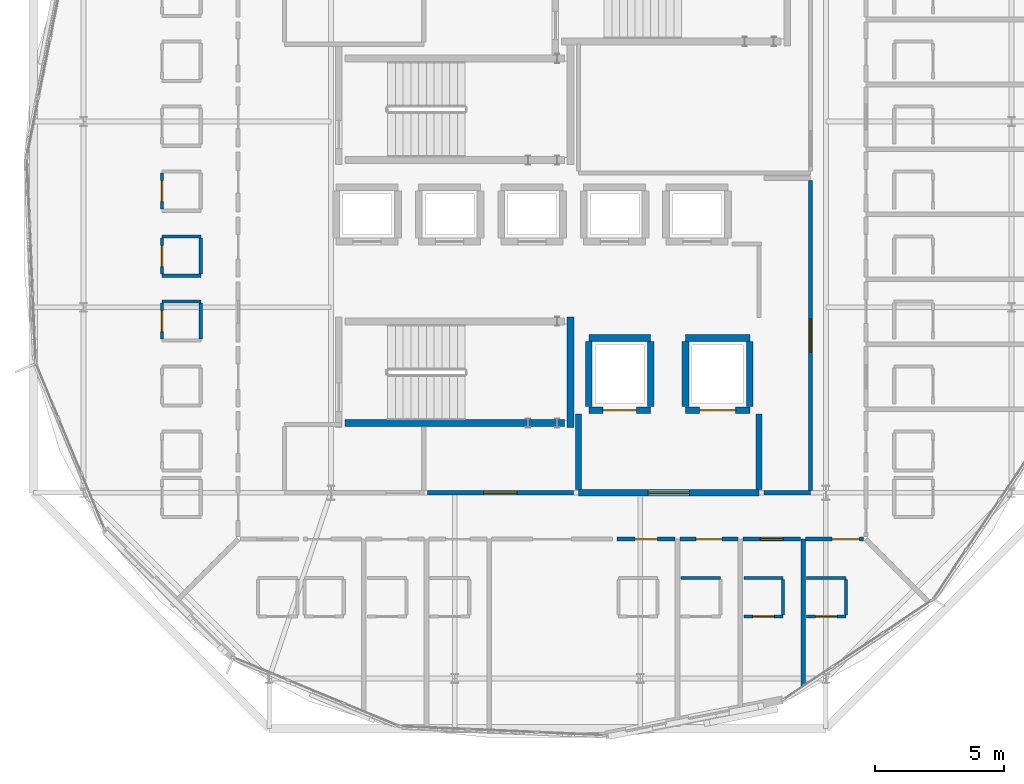
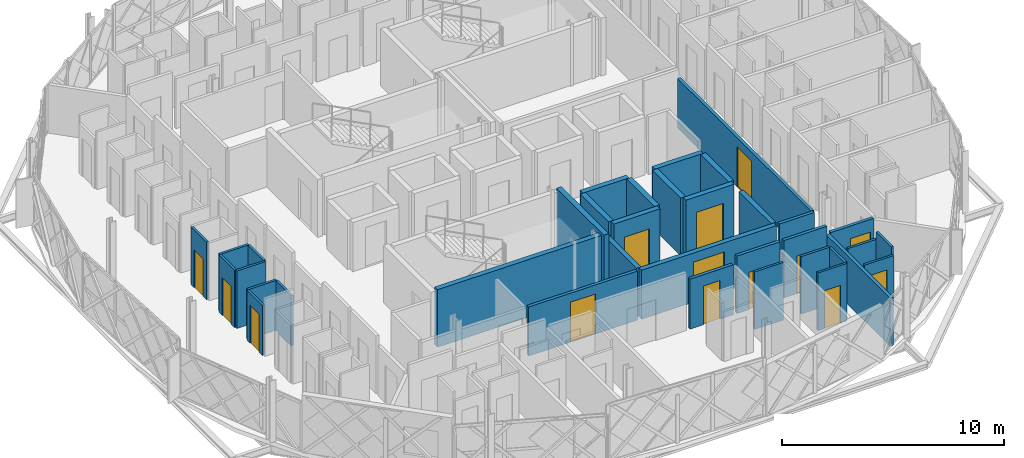
# One storey, part 14 of 24: 36 walls, 14 doors, 14 openings.
"""IFC4 building model written with IfcOpenShell, lengths in metres."""

from ifc_helpers import new_model, si_unit, direction, frame, frame_2d, origin, place, context, subcontext, project, spatial, rectangle, extrude, material, layer, layer_set, type_object, element, fill, save


model = new_model("IFC4")

# Units and contexts
model_context = context("Model", 3, precision=1e-05, world=origin(), true_north=direction((0.0, 1.0)))
body_context = subcontext(model_context, "Body", "Model", "MODEL_VIEW")
ifc_project = project(units=[si_unit("LENGTHUNIT", "METRE"), si_unit("AREAUNIT", "SQUARE_METRE"), si_unit("VOLUMEUNIT", "CUBIC_METRE"), si_unit("PLANEANGLEUNIT", "RADIAN"), si_unit("MASSUNIT", "GRAM", prefix="KILO")], contexts=[model_context])

# Site, building, storey
site_placement = place(None, origin())
site = spatial("IfcSite", under=ifc_project, at=site_placement, CompositionType="ELEMENT")
building_placement = place(site_placement, origin())
building = spatial("IfcBuilding", under=site, at=building_placement, Name="Zevrakil Square Congress Hotel", CompositionType="ELEMENT")
storey_placement = place(building_placement, frame((0.0, 0.0, 35.10009765625)))
storey = spatial("IfcBuildingStorey", under=building, at=storey_placement, Name="L10", CompositionType="ELEMENT", Elevation=35.10009765625)

# Wall, opening, door
ifc_material_1 = material(Name="Concrete C35/45", Category="concrete")
ifc_layer_1 = layer(ifc_material_1, 0.239990234375)
ifc_layer_set_1 = layer_set([ifc_layer_1], Name="Concrete C35/45")
wall_type_1 = type_object("IfcWallType", Name="WAL-COMP-240", PredefinedType="SOLIDWALL", material=ifc_layer_set_1)
wall_1_placement = place(storey_placement, frame((146.39990234375, 16.800048828125, 0.0), z_axis=(0.0, 0.0, 1.0), x_axis=(1.0, 0.0, 0.0)))
wall_1 = element("IfcWall", 1, at=wall_1_placement, inside=storey, type_object=wall_type_1, Name="L10 interior partition PW-L10-1560", PredefinedType="SOLIDWALL", context=body_context, shape_type="SweptSolid", body=[
    extrude(rectangle(XDim=7.0, YDim=0.239990234375, at=frame_2d((3.5, 0.0))), origin(), (0.0, 0.0, 1.0), 2.699951171875),
])
opening_1_placement = place(wall_1_placement, frame((2.699951171875, 0.0, 0.0)))
opening_1 = element("IfcOpeningElement", 2, at=opening_1_placement, cuts=wall_1, Name="Opening FD90-D", PredefinedType="OPENING", context=body_context, shape_type="SweptSolid", body=[
    extrude(rectangle(XDim=1.60009765625, YDim=2.199951171875, at=frame_2d((0.800048828125, 1.10009765625))), frame((0.0, 0.1298828125, 0.0), z_axis=(0.0, -1.0, 0.0), x_axis=(1.0, 0.0, 0.0)), (0.0, 0.0, 1.0), 0.260009765625),
])
ifc_material_2 = material(Name="Steel S355 Double Fire Door", Category="steel")
door_type_1 = type_object("IfcDoorType", Name="DOR-FFLOB-FD90-160", OperationType="NOTDEFINED", PredefinedType="DOOR", material=ifc_material_2)
door_1_placement = place(opening_1_placement, origin())
door_1 = element("IfcDoor", 3, at=door_1_placement, inside=storey, type_object=door_type_1, Name="L10 interior door 608", OperationType="DOUBLE_DOOR_SINGLE_SWING", OverallHeight=2.199951171875, OverallWidth=1.60009765625, PredefinedType="DOOR", context=body_context, shape_type="SweptSolid", body=[
    extrude(rectangle(XDim=1.60009765625, YDim=2.199951171875, at=frame_2d((0.800048828125, 1.10009765625))), frame((0.0, 0.02490234375, 0.0), z_axis=(0.0, -1.0, 0.0), x_axis=(1.0, 0.0, 0.0)), (0.0, 0.0, 1.0), 0.050048828125),
])
fill(opening_1, door_1)

# Walls
for number, where, z_axis, x_axis, name in (
    (4, (146.39990234375, 16.925048828125, 0.0), (0.0, 0.0, 1.0), (0.0, 1.0, 0.0), "L10 interior partition PW-L10-1561"),
    (5, (153.39990234375, 16.925048828125, 0.0), (0.0, 0.0, 1.0), (0.0, 1.0, 0.0), "L10 interior partition PW-L10-1562"),
):
    element("IfcWall", number, at=place(storey_placement, frame(where, z_axis=z_axis, x_axis=x_axis)), inside=storey, type_object=wall_type_1, Name=name, PredefinedType="SOLIDWALL", context=body_context, shape_type="SweptSolid", body=[
        extrude(rectangle(XDim=2.925048828125, YDim=0.239990234375, at=frame_2d((1.46240234375, 0.0))), origin(), (0.0, 0.0, 1.0), 2.699951171875),
    ])

# Wall, opening, door
ifc_material_3 = material(Name="Gypsum Acoustic Stud Partition")
ifc_layer_2 = layer(ifc_material_3, 0.159912109375)
ifc_layer_set_2 = layer_set([ifc_layer_2], Name="Gypsum Acoustic Stud Partition")
wall_type_2 = type_object("IfcWallType", Name="WAL-CORR-160", PredefinedType="PARTITIONING", material=ifc_layer_set_2)
wall_2_placement = place(storey_placement, frame((140.550048828125, 16.800048828125, 0.0), z_axis=(0.0, 0.0, 1.0), x_axis=(1.0, 0.0, 0.0)))
wall_2 = element("IfcWall", 6, at=wall_2_placement, inside=storey, type_object=wall_type_2, Name="L10 interior partition PW-L10-1567", PredefinedType="PARTITIONING", context=body_context, shape_type="SweptSolid", body=[
    extrude(rectangle(XDim=5.64990234375, YDim=0.159912109375, at=frame_2d((2.824951171875, 0.0))), origin(), (0.0, 0.0, 1.0), 2.699951171875),
])
opening_2_placement = place(wall_2_placement, frame((2.175048828125, 0.0, 0.0)))
opening_2 = element("IfcOpeningElement", 7, at=opening_2_placement, cuts=wall_2, Name="Opening ID-08", PredefinedType="OPENING", context=body_context, shape_type="SweptSolid", body=[
    extrude(rectangle(XDim=1.300048828125, YDim=2.199951171875, at=frame_2d((0.64990234375, 1.10009765625))), frame((0.0, 0.08984375, 0.0), z_axis=(0.0, -1.0, 0.0), x_axis=(1.0, 0.0, 0.0)), (0.0, 0.0, 1.0), 0.179931640625),
])
ifc_material_4 = material(Name="Service Corridor Leaf-and-Half Door")
door_type_2 = type_object("IfcDoorType", Name="DOR-BOH-130", OperationType="NOTDEFINED", PredefinedType="DOOR", material=ifc_material_4)
door_2_placement = place(opening_2_placement, origin())
door_2 = element("IfcDoor", 8, at=door_2_placement, inside=storey, type_object=door_type_2, Name="L10 interior door 610", OperationType="SINGLE_SWING_RIGHT", OverallHeight=2.199951171875, OverallWidth=1.300048828125, PredefinedType="DOOR", context=body_context, shape_type="SweptSolid", body=[
    extrude(rectangle(XDim=1.300048828125, YDim=2.199951171875, at=frame_2d((0.64990234375, 1.10009765625))), frame((0.0, 0.02490234375, 0.0), z_axis=(0.0, -1.0, 0.0), x_axis=(1.0, 0.0, 0.0)), (0.0, 0.0, 1.0), 0.050048828125),
])
fill(opening_2, door_2)

# Wall
wall_3_placement = place(storey_placement, frame((153.60009765625, 16.800048828125, 0.0), z_axis=(0.0, 0.0, 1.0), x_axis=(1.0, 0.0, 0.0)))
element("IfcWall", 9, at=wall_3_placement, inside=storey, type_object=wall_type_2, Name="L10 interior partition PW-L10-1576", PredefinedType="PARTITIONING", context=body_context, shape_type="SweptSolid", body=[
    extrude(rectangle(XDim=1.7998046875, YDim=0.159912109375, at=frame_2d((0.89990234375, 0.0))), origin(), (0.0, 0.0, 1.0), 2.699951171875),
])

# Wall, opening, door
wall_4_placement = place(storey_placement, frame((155.39990234375, 16.885009765625, 0.0), z_axis=(0.0, 0.0, 1.0), x_axis=(0.0, 1.0, 0.0)))
wall_4 = element("IfcWall", 10, at=wall_4_placement, inside=storey, type_object=wall_type_2, Name="L10 interior partition PW-L10-1578", PredefinedType="PARTITIONING", context=body_context, shape_type="SweptSolid", body=[
    extrude(rectangle(XDim=12.030029296875, YDim=0.159912109375, at=frame_2d((6.01513671875, 0.0))), origin(), (0.0, 0.0, 1.0), 2.699951171875),
])
opening_3_placement = place(wall_4_placement, frame((5.364990234375, 0.0, 0.0)))
opening_3 = element("IfcOpeningElement", 11, at=opening_3_placement, cuts=wall_4, Name="Opening ID-08", PredefinedType="OPENING", context=body_context, shape_type="SweptSolid", body=[
    extrude(rectangle(XDim=1.300048828125, YDim=2.199951171875, at=frame_2d((0.64990234375, 1.10009765625))), frame((0.0, 0.08984375, 0.0), z_axis=(0.0, -1.0, 0.0), x_axis=(1.0, 0.0, 0.0)), (0.0, 0.0, 1.0), 0.179931640625),
])
door_3_placement = place(opening_3_placement, origin())
door_3 = element("IfcDoor", 12, at=door_3_placement, inside=storey, type_object=door_type_2, Name="L10 interior door 613", OperationType="SINGLE_SWING_LEFT", OverallHeight=2.199951171875, OverallWidth=1.300048828125, PredefinedType="DOOR", context=body_context, shape_type="SweptSolid", body=[
    extrude(rectangle(XDim=1.300048828125, YDim=2.199951171875, at=frame_2d((0.64990234375, 1.10009765625))), frame((0.0, 0.02490234375, 0.0), z_axis=(0.0, -1.0, 0.0), x_axis=(1.0, 0.0, 0.0)), (0.0, 0.0, 1.0), 0.050048828125),
])
fill(opening_3, door_3)

wall_5_placement = place(storey_placement, frame((147.905029296875, 15.0, 0.0), z_axis=(0.0, 0.0, 1.0), x_axis=(1.0, 0.0, 0.0)))
wall_5 = element("IfcWall", 13, at=wall_5_placement, inside=storey, type_object=wall_type_2, Name="L10 interior partition PW-L10-1604", PredefinedType="PARTITIONING", context=body_context, shape_type="SweptSolid", body=[
    extrude(rectangle(XDim=2.244873046875, YDim=0.159912109375, at=frame_2d((1.12255859375, 0.0))), origin(), (0.0, 0.0, 1.0), 2.75),
])
opening_4_placement = place(wall_5_placement, frame((0.6904296875, 0.0, 0.0)))
opening_4 = element("IfcOpeningElement", 14, at=opening_4_placement, cuts=wall_5, Name="Opening ID-H02", PredefinedType="OPENING", context=body_context, shape_type="SweptSolid", body=[
    extrude(rectangle(XDim=0.864013671875, YDim=2.1298828125, at=frame_2d((0.43212890625, 1.06494140625))), frame((0.0, 0.08984375, 0.0), z_axis=(0.0, -1.0, 0.0), x_axis=(1.0, 0.0, 0.0)), (0.0, 0.0, 1.0), 0.179931640625),
])
ifc_material_5 = material(Name="Acoustic Timber Fire Door", Category="wood")
door_type_3 = type_object("IfcDoorType", Name="DOR-INT-H02", OperationType="NOTDEFINED", PredefinedType="DOOR", material=ifc_material_5)
door_4_placement = place(opening_4_placement, origin())
door_4 = element("IfcDoor", 15, at=door_4_placement, inside=storey, type_object=door_type_3, Name="L10 interior door 623", OperationType="SINGLE_SWING_LEFT", OverallHeight=2.1298828125, OverallWidth=0.864013671875, PredefinedType="DOOR", context=body_context, shape_type="SweptSolid", body=[
    extrude(rectangle(XDim=0.864013671875, YDim=2.1298828125, at=frame_2d((0.43212890625, 1.06494140625))), frame((0.0, 0.02490234375, 0.0), z_axis=(0.0, -1.0, 0.0), x_axis=(1.0, 0.0, 0.0)), (0.0, 0.0, 1.0), 0.050048828125),
])
fill(opening_4, door_4)

wall_6_placement = place(storey_placement, frame((150.340087890625, 15.0, 0.0), z_axis=(0.0, 0.0, 1.0), x_axis=(1.0, 0.0, 0.0)))
wall_6 = element("IfcWall", 16, at=wall_6_placement, inside=storey, type_object=wall_type_2, Name="L10 interior partition PW-L10-1610", PredefinedType="PARTITIONING", context=body_context, shape_type="SweptSolid", body=[
    extrude(rectangle(XDim=2.244873046875, YDim=0.159912109375, at=frame_2d((1.12255859375, 0.0))), origin(), (0.0, 0.0, 1.0), 3.164794921875),
])
opening_5_placement = place(wall_6_placement, frame((0.6201171875, 0.0, 0.0)))
opening_5 = element("IfcOpeningElement", 17, at=opening_5_placement, cuts=wall_6, Name="Opening ID-G07", PredefinedType="OPENING", context=body_context, shape_type="SweptSolid", body=[
    extrude(rectangle(XDim=1.0048828125, YDim=2.050048828125, at=frame_2d((0.50244140625, 1.02490234375))), frame((0.0, 0.08984375, 0.0), z_axis=(0.0, -1.0, 0.0), x_axis=(1.0, 0.0, 0.0)), (0.0, 0.0, 1.0), 0.179931640625),
])
ifc_material_6 = material(Name="Acoustic Timber Fire Door", Category="wood")
door_type_4 = type_object("IfcDoorType", Name="DOR-INT-G07", OperationType="NOTDEFINED", PredefinedType="DOOR", material=ifc_material_6)
door_5_placement = place(opening_5_placement, origin())
door_5 = element("IfcDoor", 18, at=door_5_placement, inside=storey, type_object=door_type_4, Name="L10 interior door 625", OperationType="SINGLE_SWING_LEFT", OverallHeight=2.050048828125, OverallWidth=1.0048828125, PredefinedType="DOOR", context=body_context, shape_type="SweptSolid", body=[
    extrude(rectangle(XDim=1.0048828125, YDim=2.050048828125, at=frame_2d((0.50244140625, 1.02490234375))), frame((0.0, 0.02490234375, 0.0), z_axis=(0.0, -1.0, 0.0), x_axis=(1.0, 0.0, 0.0)), (0.0, 0.0, 1.0), 0.050048828125),
])
fill(opening_5, door_5)

wall_7_placement = place(storey_placement, frame((152.77490234375, 15.0, 0.0), z_axis=(0.0, 0.0, 1.0), x_axis=(1.0, 0.0, 0.0)))
wall_7 = element("IfcWall", 19, at=wall_7_placement, inside=storey, type_object=wall_type_2, Name="L10 interior partition PW-L10-1615", PredefinedType="PARTITIONING", context=body_context, shape_type="SweptSolid", body=[
    extrude(rectangle(XDim=2.2451171875, YDim=0.159912109375, at=frame_2d((1.12255859375, 0.0))), origin(), (0.0, 0.0, 1.0), 3.164794921875),
])
opening_6_placement = place(wall_7_placement, frame((0.678466796875, 0.0, 0.0)))
opening_6 = element("IfcOpeningElement", 20, at=opening_6_placement, cuts=wall_7, Name="Opening ID-H04", PredefinedType="OPENING", context=body_context, shape_type="SweptSolid", body=[
    extrude(rectangle(XDim=0.887939453125, YDim=2.070068359375, at=frame_2d((0.44384765625, 1.03515625))), frame((0.0, 0.08984375, 0.0), z_axis=(0.0, -1.0, 0.0), x_axis=(1.0, 0.0, 0.0)), (0.0, 0.0, 1.0), 0.179931640625),
])
ifc_material_7 = material(Name="Acoustic Timber Fire Door", Category="wood")
door_type_5 = type_object("IfcDoorType", Name="DOR-INT-H04", OperationType="NOTDEFINED", PredefinedType="DOOR", material=ifc_material_7)
door_6_placement = place(opening_6_placement, origin())
door_6 = element("IfcDoor", 21, at=door_6_placement, inside=storey, type_object=door_type_5, Name="L10 interior door 627", OperationType="SINGLE_SWING_LEFT", OverallHeight=2.070068359375, OverallWidth=0.887939453125, PredefinedType="DOOR", context=body_context, shape_type="SweptSolid", body=[
    extrude(rectangle(XDim=0.887939453125, YDim=2.070068359375, at=frame_2d((0.44384765625, 1.03515625))), frame((0.0, 0.02490234375, 0.0), z_axis=(0.0, -1.0, 0.0), x_axis=(1.0, 0.0, 0.0)), (0.0, 0.0, 1.0), 0.050048828125),
])
fill(opening_6, door_6)

wall_8_placement = place(storey_placement, frame((155.2099609375, 15.0, 0.0), z_axis=(0.0, 0.0, 1.0), x_axis=(1.0, 0.0, 0.0)))
wall_8 = element("IfcWall", 22, at=wall_8_placement, inside=storey, type_object=wall_type_2, Name="L10 interior partition PW-L10-1620", PredefinedType="PARTITIONING", context=body_context, shape_type="SweptSolid", body=[
    extrude(rectangle(XDim=2.2451171875, YDim=0.159912109375, at=frame_2d((1.12255859375, 0.0))), origin(), (0.0, 0.0, 1.0), 2.75),
])
opening_7_placement = place(wall_8_placement, frame((1.030029296875, 0.0, 0.0)))
opening_7 = element("IfcOpeningElement", 23, at=opening_7_placement, cuts=wall_8, Name="Opening ID-G09", PredefinedType="OPENING", context=body_context, shape_type="SweptSolid", body=[
    extrude(rectangle(XDim=1.054931640625, YDim=2.050048828125, at=frame_2d((0.52734375, 1.02490234375))), frame((0.0, 0.08984375, 0.0), z_axis=(0.0, -1.0, 0.0), x_axis=(1.0, 0.0, 0.0)), (0.0, 0.0, 1.0), 0.179931640625),
])
ifc_material_8 = material(Name="Acoustic Timber Fire Door", Category="wood")
door_type_6 = type_object("IfcDoorType", Name="DOR-INT-G09", OperationType="NOTDEFINED", PredefinedType="DOOR", material=ifc_material_8)
door_7_placement = place(opening_7_placement, origin())
door_7 = element("IfcDoor", 24, at=door_7_placement, inside=storey, type_object=door_type_6, Name="L10 interior door 629", OperationType="SINGLE_SWING_LEFT", OverallHeight=2.050048828125, OverallWidth=1.054931640625, PredefinedType="DOOR", context=body_context, shape_type="SweptSolid", body=[
    extrude(rectangle(XDim=1.054931640625, YDim=2.050048828125, at=frame_2d((0.52734375, 1.02490234375))), frame((0.0, 0.02490234375, 0.0), z_axis=(0.0, -1.0, 0.0), x_axis=(1.0, 0.0, 0.0)), (0.0, 0.0, 1.0), 0.050048828125),
])
fill(opening_7, door_7)

# Wall
ifc_material_9 = material(Name="Moisture-Resistant Gypsum Partition")
ifc_layer_3 = layer(ifc_material_9, 0.1201171875)
ifc_layer_set_3 = layer_set([ifc_layer_3], Name="Moisture-Resistant Gypsum Partition")
wall_type_3 = type_object("IfcWallType", Name="WAL-ENS-120", PredefinedType="PARTITIONING", material=ifc_layer_set_3)
wall_9_placement = place(storey_placement, frame((150.385009765625, 13.5, 0.0), z_axis=(0.0, 0.0, 1.0), x_axis=(1.0, 0.0, 0.0)))
element("IfcWall", 25, at=wall_9_placement, inside=storey, type_object=wall_type_3, Name="L10 interior partition PW-L10-1612", PredefinedType="PARTITIONING", context=body_context, shape_type="SweptSolid", body=[
    extrude(rectangle(XDim=1.52001953125, YDim=0.1201171875, at=frame_2d((0.760009765625, 0.0))), origin(), (0.0, 0.0, 1.0), 3.164794921875),
])

# Wall, opening, door
wall_10_placement = place(storey_placement, frame((152.820068359375, 12.0, 0.0), z_axis=(0.0, 0.0, 1.0), x_axis=(1.0, 0.0, 0.0)))
wall_10 = element("IfcWall", 26, at=wall_10_placement, inside=storey, type_object=wall_type_3, Name="L10 interior partition PW-L10-1616", PredefinedType="PARTITIONING", context=body_context, shape_type="SweptSolid", body=[
    extrude(rectangle(XDim=1.52001953125, YDim=0.1201171875, at=frame_2d((0.760009765625, 0.0))), origin(), (0.0, 0.0, 1.0), 3.164794921875),
])
opening_8_placement = place(wall_10_placement, frame((0.35009765625, 0.0, 0.0)))
opening_8 = element("IfcOpeningElement", 27, at=opening_8_placement, cuts=wall_10, Name="Opening ID-11", PredefinedType="OPENING", context=body_context, shape_type="SweptSolid", body=[
    extrude(rectangle(XDim=0.820068359375, YDim=2.080078125, at=frame_2d((0.41015625, 1.0400390625))), frame((0.0, 0.070068359375, 0.0), z_axis=(0.0, -1.0, 0.0), x_axis=(1.0, 0.0, 0.0)), (0.0, 0.0, 1.0), 0.14013671875),
])
ifc_material_10 = material(Name="Acoustic Timber Door", Category="wood")
door_type_7 = type_object("IfcDoorType", Name="DOR-INT-V01", OperationType="NOTDEFINED", PredefinedType="DOOR", material=ifc_material_10)
door_8_placement = place(opening_8_placement, origin())
door_8 = element("IfcDoor", 28, at=door_8_placement, inside=storey, type_object=door_type_7, Name="L10 interior door 628", OperationType="SINGLE_SWING_RIGHT", OverallHeight=2.080078125, OverallWidth=0.820068359375, PredefinedType="DOOR", context=body_context, shape_type="SweptSolid", body=[
    extrude(rectangle(XDim=0.820068359375, YDim=2.080078125, at=frame_2d((0.41015625, 1.0400390625))), frame((0.0, 0.02490234375, 0.0), z_axis=(0.0, -1.0, 0.0), x_axis=(1.0, 0.0, 0.0)), (0.0, 0.0, 1.0), 0.050048828125),
])
fill(opening_8, door_8)

# Walls
wall_11_placement = place(storey_placement, frame((152.820068359375, 13.5, 0.0), z_axis=(0.0, 0.0, 1.0), x_axis=(1.0, 0.0, 0.0)))
element("IfcWall", 29, at=wall_11_placement, inside=storey, type_object=wall_type_3, Name="L10 interior partition PW-L10-1617", PredefinedType="PARTITIONING", context=body_context, shape_type="SweptSolid", body=[
    extrude(rectangle(XDim=1.52001953125, YDim=0.1201171875, at=frame_2d((0.760009765625, 0.0))), origin(), (0.0, 0.0, 1.0), 3.164794921875),
])
wall_12_placement = place(storey_placement, frame((154.340087890625, 12.06494140625, 0.0), z_axis=(0.0, 0.0, 1.0), x_axis=(0.0, 1.0, 0.0)))
element("IfcWall", 30, at=wall_12_placement, inside=storey, type_object=wall_type_3, Name="L10 interior partition PW-L10-1618", PredefinedType="PARTITIONING", context=body_context, shape_type="SweptSolid", body=[
    extrude(rectangle(XDim=1.3701171875, YDim=0.1201171875, at=frame_2d((0.68505859375, 0.0))), origin(), (0.0, 0.0, 1.0), 3.164794921875),
])

# Wall, opening, door
wall_13_placement = place(storey_placement, frame((155.2548828125, 12.0, 0.0), z_axis=(0.0, 0.0, 1.0), x_axis=(1.0, 0.0, 0.0)))
wall_13 = element("IfcWall", 31, at=wall_13_placement, inside=storey, type_object=wall_type_3, Name="L10 interior partition PW-L10-1621", PredefinedType="PARTITIONING", context=body_context, shape_type="SweptSolid", body=[
    extrude(rectangle(XDim=1.52001953125, YDim=0.1201171875, at=frame_2d((0.760009765625, 0.0))), origin(), (0.0, 0.0, 1.0), 2.75),
])
opening_9_placement = place(wall_13_placement, frame((0.35009765625, 0.0, 0.0)))
opening_9 = element("IfcOpeningElement", 32, at=opening_9_placement, cuts=wall_13, Name="Opening ID-11", PredefinedType="OPENING", context=body_context, shape_type="SweptSolid", body=[
    extrude(rectangle(XDim=0.820068359375, YDim=2.080078125, at=frame_2d((0.41015625, 1.0400390625))), frame((0.0, 0.070068359375, 0.0), z_axis=(0.0, -1.0, 0.0), x_axis=(1.0, 0.0, 0.0)), (0.0, 0.0, 1.0), 0.14013671875),
])
door_9_placement = place(opening_9_placement, origin())
door_9 = element("IfcDoor", 33, at=door_9_placement, inside=storey, type_object=door_type_7, Name="L10 interior door 630", OperationType="SINGLE_SWING_RIGHT", OverallHeight=2.080078125, OverallWidth=0.820068359375, PredefinedType="DOOR", context=body_context, shape_type="SweptSolid", body=[
    extrude(rectangle(XDim=0.820068359375, YDim=2.080078125, at=frame_2d((0.41015625, 1.0400390625))), frame((0.0, 0.02490234375, 0.0), z_axis=(0.0, -1.0, 0.0), x_axis=(1.0, 0.0, 0.0)), (0.0, 0.0, 1.0), 0.050048828125),
])
fill(opening_9, door_9)

# Walls
wall_14_placement = place(storey_placement, frame((155.2548828125, 13.5, 0.0), z_axis=(0.0, 0.0, 1.0), x_axis=(1.0, 0.0, 0.0)))
element("IfcWall", 34, at=wall_14_placement, inside=storey, type_object=wall_type_3, Name="L10 interior partition PW-L10-1622", PredefinedType="PARTITIONING", context=body_context, shape_type="SweptSolid", body=[
    extrude(rectangle(XDim=1.52001953125, YDim=0.1201171875, at=frame_2d((0.760009765625, 0.0))), origin(), (0.0, 0.0, 1.0), 2.75),
])
wall_15_placement = place(storey_placement, frame((156.77490234375, 12.06494140625, 0.0), z_axis=(0.0, 0.0, 1.0), x_axis=(0.0, 1.0, 0.0)))
element("IfcWall", 35, at=wall_15_placement, inside=storey, type_object=wall_type_3, Name="L10 interior partition PW-L10-1623", PredefinedType="PARTITIONING", context=body_context, shape_type="SweptSolid", body=[
    extrude(rectangle(XDim=1.3701171875, YDim=0.1201171875, at=frame_2d((0.68505859375, 0.0))), origin(), (0.0, 0.0, 1.0), 3.164794921875),
])

# Wall, opening, door
wall_16_placement = place(storey_placement, frame((130.25, 27.804931640625, 0.0), z_axis=(0.0, 0.0, 1.0), x_axis=(0.0, 1.0, 0.0)))
wall_16 = element("IfcWall", 36, at=wall_16_placement, inside=storey, type_object=wall_type_3, Name="L10 interior partition PW-L10-1750", PredefinedType="PARTITIONING", context=body_context, shape_type="SweptSolid", body=[
    extrude(rectangle(XDim=1.39013671875, YDim=0.1201171875, at=frame_2d((0.695068359375, 0.0))), origin(), (0.0, 0.0, 1.0), 3.164794921875),
])
opening_10_placement = place(wall_16_placement, frame((0.284912109375, 0.0, 0.0)))
opening_10 = element("IfcOpeningElement", 37, at=opening_10_placement, cuts=wall_16, Name="Opening ID-11", PredefinedType="OPENING", context=body_context, shape_type="SweptSolid", body=[
    extrude(rectangle(XDim=0.820068359375, YDim=2.080078125, at=frame_2d((0.41015625, 1.0400390625))), frame((0.0, 0.070068359375, 0.0), z_axis=(0.0, -1.0, 0.0), x_axis=(1.0, 0.0, 0.0)), (0.0, 0.0, 1.0), 0.14013671875),
])
door_10_placement = place(opening_10_placement, origin())
door_10 = element("IfcDoor", 38, at=door_10_placement, inside=storey, type_object=door_type_7, Name="L10 interior door 680", OperationType="SINGLE_SWING_RIGHT", OverallHeight=2.080078125, OverallWidth=0.820068359375, PredefinedType="DOOR", context=body_context, shape_type="SweptSolid", body=[
    extrude(rectangle(XDim=0.820068359375, YDim=2.080078125, at=frame_2d((0.41015625, 1.0400390625))), frame((0.0, 0.02490234375, 0.0), z_axis=(0.0, -1.0, 0.0), x_axis=(1.0, 0.0, 0.0)), (0.0, 0.0, 1.0), 0.050048828125),
])
fill(opening_10, door_10)

# Walls
for number, where, z_axis, x_axis, name in (
    (39, (130.25, 25.219970703125, 0.0), (0.0, 0.0, 1.0), (1.0, 0.0, 0.0), "L10 interior partition PW-L10-1753"),
    (40, (130.25, 26.739990234375, 0.0), (0.0, 0.0, 1.0), (1.0, 0.0, 0.0), "L10 interior partition PW-L10-1754"),
):
    element("IfcWall", number, at=place(storey_placement, frame(where, z_axis=z_axis, x_axis=x_axis)), inside=storey, type_object=wall_type_3, Name=name, PredefinedType="PARTITIONING", context=body_context, shape_type="SweptSolid", body=[
        extrude(rectangle(XDim=1.5, YDim=0.1201171875, at=frame_2d((0.75, 0.0))), origin(), (0.0, 0.0, 1.0), 3.164794921875),
    ])

# Wall, opening, door
wall_17_placement = place(storey_placement, frame((130.25, 25.284912109375, 0.0), z_axis=(0.0, 0.0, 1.0), x_axis=(0.0, 1.0, 0.0)))
wall_17 = element("IfcWall", 41, at=wall_17_placement, inside=storey, type_object=wall_type_3, Name="L10 interior partition PW-L10-1755", PredefinedType="PARTITIONING", context=body_context, shape_type="SweptSolid", body=[
    extrude(rectangle(XDim=1.39013671875, YDim=0.1201171875, at=frame_2d((0.695068359375, 0.0))), origin(), (0.0, 0.0, 1.0), 3.164794921875),
])
opening_11_placement = place(wall_17_placement, frame((0.284912109375, 0.0, 0.0)))
opening_11 = element("IfcOpeningElement", 42, at=opening_11_placement, cuts=wall_17, Name="Opening ID-11", PredefinedType="OPENING", context=body_context, shape_type="SweptSolid", body=[
    extrude(rectangle(XDim=0.820068359375, YDim=2.080078125, at=frame_2d((0.41015625, 1.0400390625))), frame((0.0, 0.070068359375, 0.0), z_axis=(0.0, -1.0, 0.0), x_axis=(1.0, 0.0, 0.0)), (0.0, 0.0, 1.0), 0.14013671875),
])
door_11_placement = place(opening_11_placement, origin())
door_11 = element("IfcDoor", 43, at=door_11_placement, inside=storey, type_object=door_type_7, Name="L10 interior door 682", OperationType="SINGLE_SWING_RIGHT", OverallHeight=2.080078125, OverallWidth=0.820068359375, PredefinedType="DOOR", context=body_context, shape_type="SweptSolid", body=[
    extrude(rectangle(XDim=0.820068359375, YDim=2.080078125, at=frame_2d((0.41015625, 1.0400390625))), frame((0.0, 0.02490234375, 0.0), z_axis=(0.0, -1.0, 0.0), x_axis=(1.0, 0.0, 0.0)), (0.0, 0.0, 1.0), 0.050048828125),
])
fill(opening_11, door_11)

# Walls
wall_18_placement = place(storey_placement, frame((131.75, 25.284912109375, 0.0), z_axis=(0.0, 0.0, 1.0), x_axis=(0.0, 1.0, 0.0)))
element("IfcWall", 44, at=wall_18_placement, inside=storey, type_object=wall_type_3, Name="L10 interior partition PW-L10-1756", PredefinedType="PARTITIONING", context=body_context, shape_type="SweptSolid", body=[
    extrude(rectangle(XDim=1.39013671875, YDim=0.1201171875, at=frame_2d((0.695068359375, 0.0))), origin(), (0.0, 0.0, 1.0), 3.164794921875),
])
wall_19_placement = place(storey_placement, frame((130.25, 24.219970703125, 0.0), z_axis=(0.0, 0.0, 1.0), x_axis=(1.0, 0.0, 0.0)))
element("IfcWall", 45, at=wall_19_placement, inside=storey, type_object=wall_type_3, Name="L10 interior partition PW-L10-1759", PredefinedType="PARTITIONING", context=body_context, shape_type="SweptSolid", body=[
    extrude(rectangle(XDim=1.5, YDim=0.1201171875, at=frame_2d((0.75, 0.0))), origin(), (0.0, 0.0, 1.0), 2.75),
])

# Wall, opening, door
wall_20_placement = place(storey_placement, frame((130.25, 22.764892578125, 0.0), z_axis=(0.0, 0.0, 1.0), x_axis=(0.0, 1.0, 0.0)))
wall_20 = element("IfcWall", 46, at=wall_20_placement, inside=storey, type_object=wall_type_3, Name="L10 interior partition PW-L10-1760", PredefinedType="PARTITIONING", context=body_context, shape_type="SweptSolid", body=[
    extrude(rectangle(XDim=1.39013671875, YDim=0.1201171875, at=frame_2d((0.695068359375, 0.0))), origin(), (0.0, 0.0, 1.0), 2.75),
])
opening_12_placement = place(wall_20_placement, frame((0.284912109375, 0.0, 0.0)))
opening_12 = element("IfcOpeningElement", 47, at=opening_12_placement, cuts=wall_20, Name="Opening ID-11", PredefinedType="OPENING", context=body_context, shape_type="SweptSolid", body=[
    extrude(rectangle(XDim=0.820068359375, YDim=2.080078125, at=frame_2d((0.41015625, 1.0400390625))), frame((0.0, 0.070068359375, 0.0), z_axis=(0.0, -1.0, 0.0), x_axis=(1.0, 0.0, 0.0)), (0.0, 0.0, 1.0), 0.14013671875),
])
door_12_placement = place(opening_12_placement, origin())
door_12 = element("IfcDoor", 48, at=door_12_placement, inside=storey, type_object=door_type_7, Name="L10 interior door 684", OperationType="SINGLE_SWING_RIGHT", OverallHeight=2.080078125, OverallWidth=0.820068359375, PredefinedType="DOOR", context=body_context, shape_type="SweptSolid", body=[
    extrude(rectangle(XDim=0.820068359375, YDim=2.080078125, at=frame_2d((0.41015625, 1.0400390625))), frame((0.0, 0.02490234375, 0.0), z_axis=(0.0, -1.0, 0.0), x_axis=(1.0, 0.0, 0.0)), (0.0, 0.0, 1.0), 0.050048828125),
])
fill(opening_12, door_12)

# Walls
wall_21_placement = place(storey_placement, frame((131.75, 22.764892578125, 0.0), z_axis=(0.0, 0.0, 1.0), x_axis=(0.0, 1.0, 0.0)))
element("IfcWall", 49, at=wall_21_placement, inside=storey, type_object=wall_type_3, Name="L10 interior partition PW-L10-1761", PredefinedType="PARTITIONING", context=body_context, shape_type="SweptSolid", body=[
    extrude(rectangle(XDim=1.39013671875, YDim=0.1201171875, at=frame_2d((0.695068359375, 0.0))), origin(), (0.0, 0.0, 1.0), 2.75),
])
ifc_material_11 = material(Name="Gypsum Twin-Stud Party Partition")
ifc_layer_4 = layer(ifc_material_11, 0.179931640625)
ifc_layer_set_4 = layer_set([ifc_layer_4], Name="Gypsum Twin-Stud Party Partition")
wall_type_4 = type_object("IfcWallType", Name="WAL-PARTY-180", PredefinedType="PARTITIONING", material=ifc_layer_set_4)
wall_22_placement = place(storey_placement, frame((155.114990234375, 9.257080078125, 0.0), z_axis=(0.0, 0.0, 1.0), x_axis=(0.0, 1.0, 0.0)))
element("IfcWall", 50, at=wall_22_placement, inside=storey, type_object=wall_type_4, Name="L10 interior partition PW-L10-1619", PredefinedType="PARTITIONING", context=body_context, shape_type="SweptSolid", body=[
    extrude(rectangle(XDim=5.742919921875, YDim=0.179931640625, at=frame_2d((2.87158203125, 0.0))), origin(), (0.0, 0.0, 1.0), 2.64990234375),
])
ifc_material_12 = material(Name="Concrete C40/50", Category="concrete")
ifc_layer_5 = layer(ifc_material_12, 0.260009765625)
ifc_layer_set_5 = layer_set([ifc_layer_5], Name="Concrete C40/50")
wall_type_5 = type_object("IfcWallType", Name="WAL-SHAFT-260", PredefinedType="SHEAR", material=ifc_layer_set_5)
wall_23_placement = place(storey_placement, frame((146.094970703125, 19.340087890625, 0.0), z_axis=(0.0, 0.0, 1.0), x_axis=(0.0, 1.0, 0.0)))
element("IfcWall", 51, at=wall_23_placement, inside=storey, type_object=wall_type_5, Name="L10 ST01 stair shaft E wall", PredefinedType="SHEAR", context=body_context, shape_type="SweptSolid", body=[
    extrude(rectangle(XDim=4.27001953125, YDim=0.260009765625, at=frame_2d((2.135009765625, 0.0))), origin(), (0.0, 0.0, 1.0), 3.164794921875),
])
wall_24_placement = place(storey_placement, frame((137.340087890625, 19.5048828125, 0.0), z_axis=(0.0, 0.0, 1.0), x_axis=(1.0, 0.0, 0.0)))
element("IfcWall", 52, at=wall_24_placement, inside=storey, type_object=wall_type_5, Name="L10 ST01 stair shaft S wall", PredefinedType="SHEAR", context=body_context, shape_type="SweptSolid", body=[
    extrude(rectangle(XDim=8.52001953125, YDim=0.260009765625, at=frame_2d((4.260009765625, 0.0))), origin(), (0.0, 0.0, 1.0), 3.164794921875),
])

# Wall, opening, door
wall_25_placement = place(storey_placement, frame((146.800048828125, 20.0, 0.0), z_axis=(0.0, 0.0, 1.0), x_axis=(1.0, 0.0, 0.0)))
wall_25 = element("IfcWall", 53, at=wall_25_placement, inside=storey, type_object=wall_type_5, Name="L10 FFL1 lift shaft wall", PredefinedType="SHEAR", context=body_context, shape_type="SweptSolid", body=[
    extrude(rectangle(XDim=2.39990234375, YDim=0.260009765625, at=frame_2d((1.199951171875, 0.0))), origin(), (0.0, 0.0, 1.0), 3.164794921875),
])
opening_13_placement = place(wall_25_placement, frame((0.550048828125, 0.0, 0.0)))
opening_13 = element("IfcOpeningElement", 54, at=opening_13_placement, cuts=wall_25, Name="Opening LD-FFL1", PredefinedType="OPENING", context=body_context, shape_type="SweptSolid", body=[
    extrude(rectangle(XDim=1.300048828125, YDim=2.25, at=frame_2d((0.64990234375, 1.125))), frame((0.0, 0.14013671875, 0.0), z_axis=(0.0, -1.0, 0.0), x_axis=(1.0, 0.0, 0.0)), (0.0, 0.0, 1.0), 0.280029296875),
])
ifc_material_13 = material(Name="Stretcher Firefighting Sliding Landing Door")
door_type_8 = type_object("IfcDoorType", Name="DOR-LIFT-LD130", OperationType="NOTDEFINED", PredefinedType="DOOR", material=ifc_material_13)
door_13_placement = place(opening_13_placement, origin())
door_13 = element("IfcDoor", 55, at=door_13_placement, inside=storey, type_object=door_type_8, Name="L10 FFL1 sliding lift landing door", OperationType="SLIDING_TO_RIGHT", OverallHeight=2.25, OverallWidth=1.300048828125, PredefinedType="DOOR", context=body_context, shape_type="SweptSolid", body=[
    extrude(rectangle(XDim=1.300048828125, YDim=2.25, at=frame_2d((0.64990234375, 1.125))), frame((0.0, 0.02490234375, 0.0), z_axis=(0.0, -1.0, 0.0), x_axis=(1.0, 0.0, 0.0)), (0.0, 0.0, 1.0), 0.050048828125),
])
fill(opening_13, door_13)

# Walls
wall_26_placement = place(storey_placement, frame((146.800048828125, 22.800048828125, 0.0), z_axis=(0.0, 0.0, 1.0), x_axis=(1.0, 0.0, 0.0)))
element("IfcWall", 56, at=wall_26_placement, inside=storey, type_object=wall_type_5, Name="L10 FFL1 lift shaft wall", PredefinedType="SHEAR", context=body_context, shape_type="SweptSolid", body=[
    extrude(rectangle(XDim=2.39990234375, YDim=0.260009765625, at=frame_2d((1.199951171875, 0.0))), origin(), (0.0, 0.0, 1.0), 3.164794921875),
])
for number, where, z_axis, x_axis, name in (
    (57, (146.800048828125, 20.139892578125, 0.0), (0.0, 0.0, 1.0), (0.0, 1.0, 0.0), "L10 FFL1 lift shaft wall"),
    (58, (149.199951171875, 20.139892578125, 0.0), (0.0, 0.0, 1.0), (0.0, 1.0, 0.0), "L10 FFL1 lift shaft wall"),
):
    element("IfcWall", number, at=place(storey_placement, frame(where, z_axis=z_axis, x_axis=x_axis)), inside=storey, type_object=wall_type_5, Name=name, PredefinedType="SHEAR", context=body_context, shape_type="SweptSolid", body=[
        extrude(rectangle(XDim=2.52001953125, YDim=0.260009765625, at=frame_2d((1.260009765625, 0.0))), origin(), (0.0, 0.0, 1.0), 3.164794921875),
    ])

# Wall, opening, door
wall_27_placement = place(storey_placement, frame((150.550048828125, 20.0, 0.0), z_axis=(0.0, 0.0, 1.0), x_axis=(1.0, 0.0, 0.0)))
wall_27 = element("IfcWall", 59, at=wall_27_placement, inside=storey, type_object=wall_type_5, Name="L10 SL1 lift shaft wall", PredefinedType="SHEAR", context=body_context, shape_type="SweptSolid", body=[
    extrude(rectangle(XDim=2.5, YDim=0.260009765625, at=frame_2d((1.25, 0.0))), origin(), (0.0, 0.0, 1.0), 3.164794921875),
])
opening_14_placement = place(wall_27_placement, frame((0.550048828125, 0.0, 0.0)))
opening_14 = element("IfcOpeningElement", 60, at=opening_14_placement, cuts=wall_27, Name="Opening LD-SL1", PredefinedType="OPENING", context=body_context, shape_type="SweptSolid", body=[
    extrude(rectangle(XDim=1.39990234375, YDim=2.300048828125, at=frame_2d((0.699951171875, 1.14990234375))), frame((0.0, 0.14013671875, 0.0), z_axis=(0.0, -1.0, 0.0), x_axis=(1.0, 0.0, 0.0)), (0.0, 0.0, 1.0), 0.280029296875),
])
ifc_material_14 = material(Name="Goods Service Sliding Landing Door")
door_type_9 = type_object("IfcDoorType", Name="DOR-LIFT-LD140", OperationType="NOTDEFINED", PredefinedType="DOOR", material=ifc_material_14)
door_14_placement = place(opening_14_placement, origin())
door_14 = element("IfcDoor", 61, at=door_14_placement, inside=storey, type_object=door_type_9, Name="L10 SL1 sliding lift landing door", OperationType="SLIDING_TO_LEFT", OverallHeight=2.300048828125, OverallWidth=1.39990234375, PredefinedType="DOOR", context=body_context, shape_type="SweptSolid", body=[
    extrude(rectangle(XDim=1.39990234375, YDim=2.300048828125, at=frame_2d((0.699951171875, 1.14990234375))), frame((0.0, 0.02490234375, 0.0), z_axis=(0.0, -1.0, 0.0), x_axis=(1.0, 0.0, 0.0)), (0.0, 0.0, 1.0), 0.050048828125),
])
fill(opening_14, door_14)

# Walls
wall_28_placement = place(storey_placement, frame((150.550048828125, 22.800048828125, 0.0), z_axis=(0.0, 0.0, 1.0), x_axis=(1.0, 0.0, 0.0)))
element("IfcWall", 62, at=wall_28_placement, inside=storey, type_object=wall_type_5, Name="L10 SL1 lift shaft wall", PredefinedType="SHEAR", context=body_context, shape_type="SweptSolid", body=[
    extrude(rectangle(XDim=2.5, YDim=0.260009765625, at=frame_2d((1.25, 0.0))), origin(), (0.0, 0.0, 1.0), 3.164794921875),
])
for number, where, z_axis, x_axis, name in (
    (63, (150.550048828125, 20.139892578125, 0.0), (0.0, 0.0, 1.0), (0.0, 1.0, 0.0), "L10 SL1 lift shaft wall"),
    (64, (153.050048828125, 20.139892578125, 0.0), (0.0, 0.0, 1.0), (0.0, 1.0, 0.0), "L10 SL1 lift shaft wall"),
):
    element("IfcWall", number, at=place(storey_placement, frame(where, z_axis=z_axis, x_axis=x_axis)), inside=storey, type_object=wall_type_5, Name=name, PredefinedType="SHEAR", context=body_context, shape_type="SweptSolid", body=[
        extrude(rectangle(XDim=2.52001953125, YDim=0.260009765625, at=frame_2d((1.260009765625, 0.0))), origin(), (0.0, 0.0, 1.0), 3.164794921875),
    ])

save(model, "model.ifc")
